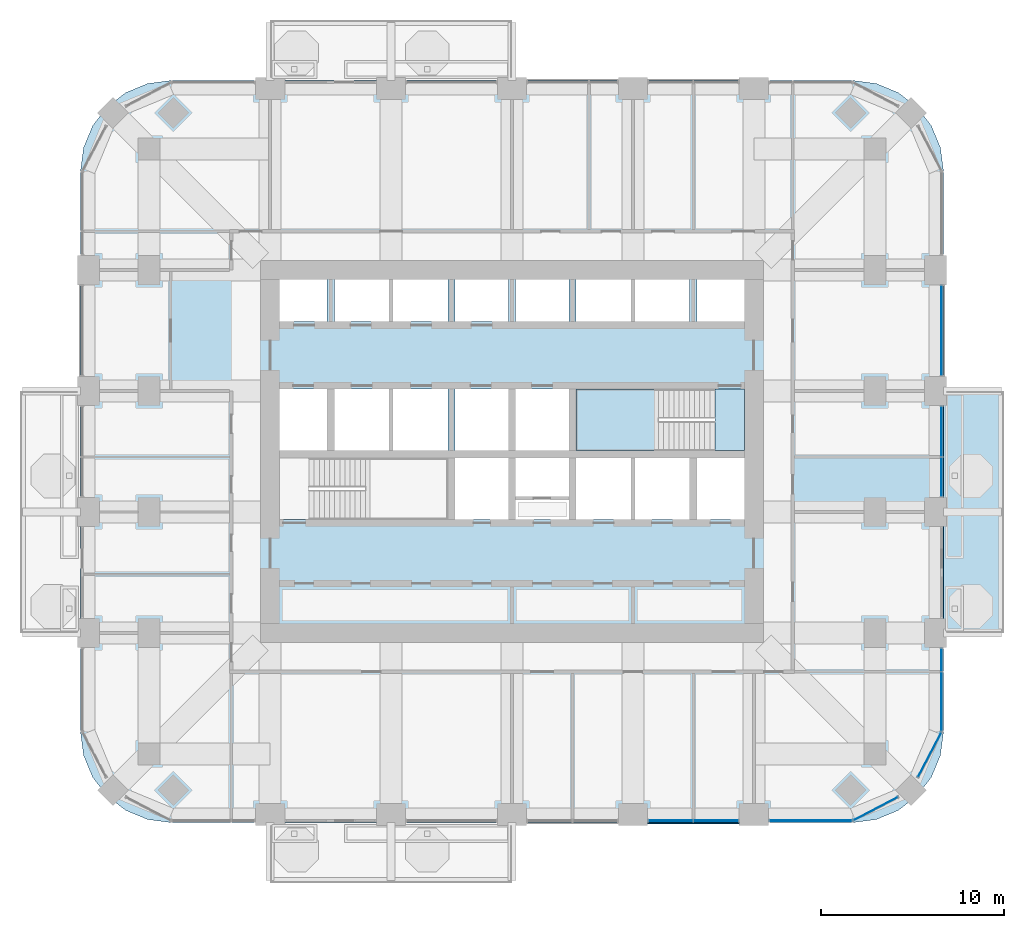
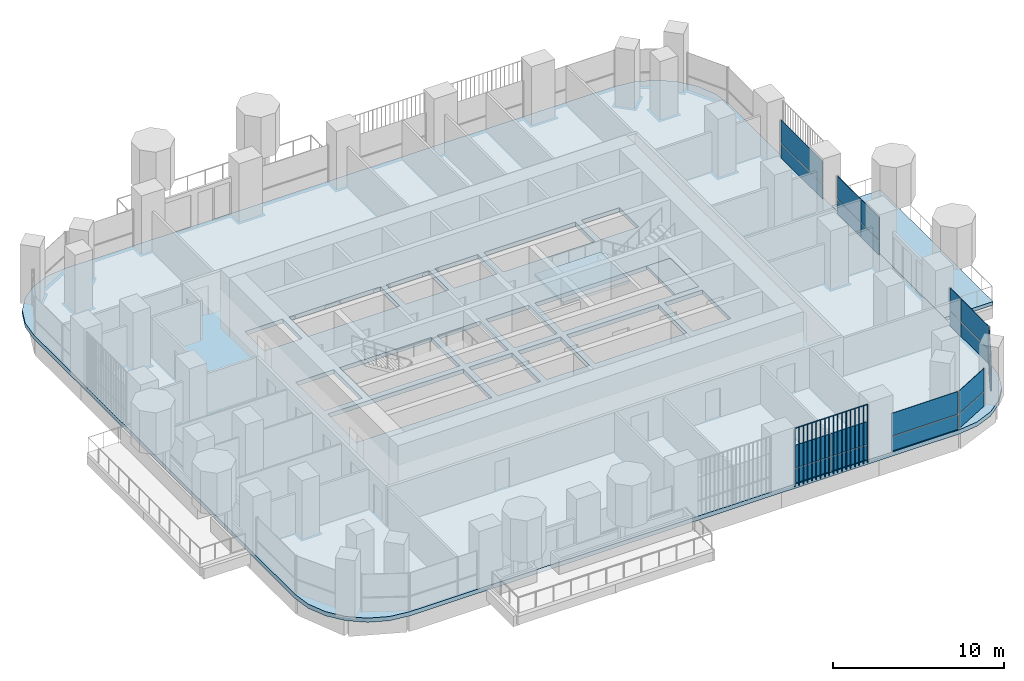
# One storey, part 9 of 20: 21 plates, 4 slabs, 8 elements without a shape of their own.
"""IFC4 building model written with IfcOpenShell, lengths in metres."""

from ifc_helpers import new_model, si_unit, direction, frame, origin, origin_2d, place, context, subcontext, project, spatial, polyline, rectangle, outline, extrude, material, layer, layer_set, type_object, element, aggregate, save


model = new_model("IFC4")

# Units and contexts
model_context = context("Model", 3, precision=1e-05, world=origin(), true_north=direction((0.0, 1.0)))
body_context = subcontext(model_context, "Body", "Model", "MODEL_VIEW")
ifc_project = project(units=[si_unit("LENGTHUNIT", "METRE"), si_unit("AREAUNIT", "SQUARE_METRE"), si_unit("VOLUMEUNIT", "CUBIC_METRE"), si_unit("PLANEANGLEUNIT", "RADIAN"), si_unit("MASSUNIT", "GRAM", prefix="KILO")], contexts=[model_context])

# Site, building, storey
site_placement = place(None, origin())
site = spatial("IfcSite", under=ifc_project, at=site_placement, CompositionType="ELEMENT")
building_placement = place(site_placement, origin())
building = spatial("IfcBuilding", under=site, at=building_placement, Name="Cobogo Forest Laboratory Tower", CompositionType="ELEMENT")
storey_placement = place(building_placement, frame((0.0, 0.0, 168.300048828125)))
storey = spatial("IfcBuildingStorey", under=building, at=storey_placement, Name="L38", CompositionType="ELEMENT", Elevation=168.300048828125)

# Slabs
ifc_material_1 = material(Name="Concrete HA-40 (C40/50)", Category="concrete")
ifc_layer_1 = layer(ifc_material_1, 0.25)
ifc_layer_set_1 = layer_set([ifc_layer_1], Name="Balcony slab 250")
slab_type_1 = type_object("IfcSlabType", Name="Balcony slab 250", PredefinedType="FLOOR", material=ifc_layer_set_1)
slab_1_placement = place(storey_placement, frame((0.0, 0.0, -0.25)))
element("IfcSlab", 1, at=slab_1_placement, inside=storey, type_object=slab_type_1, Name="Balcony BAL-E1 L38", PredefinedType="FLOOR", context=body_context, shape_type="SweptSolid", body=[
    extrude(outline(polyline([(49.949951171875, 13.199951171875), (53.25, 13.199951171875), (53.25, 26.39990234375), (49.949951171875, 26.39990234375), (49.949951171875, 13.199951171875)])), origin(), (0.0, 0.0, 1.0), 0.25),
])
ifc_layer_2 = layer(ifc_material_1, 0.300048828125)
ifc_layer_set_2 = layer_set([ifc_layer_2], Name="Floor slab 300")
slab_type_2 = type_object("IfcSlabType", Name="Floor slab 300", PredefinedType="FLOOR", material=ifc_layer_set_2)
slab_2_placement = place(storey_placement, frame((0.0, 0.0, -0.300048828125)))
element("IfcSlab", 2, at=slab_2_placement, inside=storey, type_object=slab_type_2, Name="L38 floor slab", PredefinedType="FLOOR", context=body_context, shape_type="SweptSolid", body=[
    extrude(outline(polyline([(45.0, 2.85009765625), (46.28125, 3.0185546875), (47.47509765625, 3.51318359375), (48.500244140625, 4.2998046875), (49.286865234375, 5.324951171875), (49.78125, 6.518798828125), (49.949951171875, 7.800048828125), (49.949951171875, 38.39990234375), (49.78125, 39.68115234375), (49.286865234375, 40.875), (48.500244140625, 41.900146484375), (47.47509765625, 42.686767578125), (46.28125, 43.181396484375), (45.0, 43.35009765625), (7.800048828125, 43.35009765625), (6.518798828125, 43.181396484375), (5.324951171875, 42.686767578125), (4.2998046875, 41.900146484375), (3.51318359375, 40.875), (3.0185546875, 39.68115234375), (2.85009765625, 38.39990234375), (2.85009765625, 7.800048828125), (3.0185546875, 6.518798828125), (3.51318359375, 5.324951171875), (4.2998046875, 4.2998046875), (5.324951171875, 3.51318359375), (6.518798828125, 3.0185546875), (7.800048828125, 2.85009765625), (45.0, 2.85009765625)]), holes=[polyline([(22.89990234375, 19.39990234375), (13.72509765625, 19.39990234375), (13.72509765625, 22.75), (22.89990234375, 22.75), (22.89990234375, 19.39990234375)]), polyline([(26.199951171875, 19.39990234375), (23.300048828125, 19.39990234375), (23.300048828125, 22.75), (26.199951171875, 22.75), (26.199951171875, 19.39990234375)]), polyline([(29.5, 19.39990234375), (26.60009765625, 19.39990234375), (26.60009765625, 22.75), (29.5, 22.75), (29.5, 19.39990234375)]), polyline([(36.10009765625, 22.75), (36.10009765625, 19.39990234375), (29.89990234375, 19.39990234375), (29.89990234375, 22.75), (36.10009765625, 22.75)]), polyline([(36.5, 19.39990234375), (36.5, 22.75), (39.074951171875, 22.75), (39.074951171875, 19.39990234375), (36.5, 19.39990234375)]), polyline([(16.300048828125, 23.14990234375), (13.72509765625, 23.14990234375), (13.72509765625, 26.5), (16.300048828125, 26.5), (16.300048828125, 23.14990234375)]), polyline([(22.89990234375, 26.5), (22.89990234375, 23.14990234375), (16.699951171875, 23.14990234375), (16.699951171875, 26.5), (22.89990234375, 26.5)]), polyline([(26.199951171875, 23.14990234375), (23.300048828125, 23.14990234375), (23.300048828125, 26.5), (26.199951171875, 26.5), (26.199951171875, 23.14990234375)]), polyline([(26.60009765625, 23.14990234375), (26.60009765625, 26.5), (29.5, 26.5), (29.5, 23.14990234375), (26.60009765625, 23.14990234375)]), polyline([(39.074951171875, 23.14990234375), (29.89990234375, 23.14990234375), (29.89990234375, 26.5), (39.074951171875, 26.5), (39.074951171875, 23.14990234375)]), polyline([(16.300048828125, 30.199951171875), (13.72509765625, 30.199951171875), (13.72509765625, 32.47509765625), (16.300048828125, 32.47509765625), (16.300048828125, 30.199951171875)]), polyline([(22.89990234375, 32.47509765625), (22.89990234375, 30.199951171875), (16.699951171875, 30.199951171875), (16.699951171875, 32.47509765625), (22.89990234375, 32.47509765625)]), polyline([(23.300048828125, 30.199951171875), (23.300048828125, 32.47509765625), (26.199951171875, 32.47509765625), (26.199951171875, 30.199951171875), (23.300048828125, 30.199951171875)]), polyline([(29.5, 30.199951171875), (26.60009765625, 30.199951171875), (26.60009765625, 32.47509765625), (29.5, 32.47509765625), (29.5, 30.199951171875)]), polyline([(36.10009765625, 32.47509765625), (36.10009765625, 30.199951171875), (29.89990234375, 30.199951171875), (29.89990234375, 32.47509765625), (36.10009765625, 32.47509765625)]), polyline([(36.5, 30.199951171875), (36.5, 32.47509765625), (39.074951171875, 32.47509765625), (39.074951171875, 30.199951171875), (36.5, 30.199951171875)])]), origin(), (0.0, 0.0, 1.0), 0.300048828125),
])

# Curtain wall, plates
ifc_material_2 = material(Name="Aluminium curtain wall", Category="aluminium")
curtain_wall_type = type_object("IfcCurtainWallType", Name="CW-2 unitised curtain wall, solar control glazing, laboratory floors zones C and D", PredefinedType="USERDEFINED", material=ifc_material_2)
curtain_wall_1_placement = place(storey_placement, origin())
curtain_wall_1 = element("IfcCurtainWall", 3, at=curtain_wall_1_placement, inside=storey, type_object=curtain_wall_type, Name="Curtain wall 05 L38", ObjectType="UNITISED CURTAIN WALL", PredefinedType="USERDEFINED")
ifc_material_3 = material(Name="Solar control insulated glass", Category="glass")
ifc_layer_3 = layer(ifc_material_3, 0.031982421875)
ifc_layer_set_3 = layer_set([ifc_layer_3], Name="GP-2 solar control glass unit 32")
plate_type_1 = type_object("IfcPlateType", Name="GP-2 solar control glass unit 32", PredefinedType="CURTAIN_PANEL", material=ifc_layer_set_3)
plate_1_placement = place(storey_placement, frame((35.06494140625, 2.949951171875, 0.0), z_axis=(0.0, 0.0, 1.0), x_axis=(1.0, 0.0, 0.0)))
plate_1 = element("IfcPlate", 4, at=plate_1_placement, type_object=plate_type_1, Name="CW-2 panel 1.1", PredefinedType="CURTAIN_PANEL", context=body_context, shape_type="SweptSolid", body=[
    extrude(rectangle(XDim=2.409912109375, YDim=0.031982421875, at=origin_2d()), origin(), (0.0, 0.0, 1.0), 1.02001953125),
])
plate_2_placement = place(storey_placement, frame((35.06494140625, 2.949951171875, 1.079833984375), z_axis=(0.0, 0.0, 1.0), x_axis=(1.0, 0.0, 0.0)))
plate_2 = element("IfcPlate", 5, at=plate_2_placement, type_object=plate_type_1, Name="CW-2 panel 1.2", PredefinedType="CURTAIN_PANEL", context=body_context, shape_type="SweptSolid", body=[
    extrude(rectangle(XDim=2.409912109375, YDim=0.031982421875, at=origin_2d()), origin(), (0.0, 0.0, 1.0), 1.6201171875),
])
plate_3_placement = place(storey_placement, frame((37.534912109375, 2.949951171875, 0.0), z_axis=(0.0, 0.0, 1.0), x_axis=(1.0, 0.0, 0.0)))
plate_3 = element("IfcPlate", 6, at=plate_3_placement, type_object=plate_type_1, Name="CW-2 panel 2.1", PredefinedType="CURTAIN_PANEL", context=body_context, shape_type="SweptSolid", body=[
    extrude(rectangle(XDim=2.409912109375, YDim=0.031982421875, at=origin_2d()), origin(), (0.0, 0.0, 1.0), 1.02001953125),
])
plate_4_placement = place(storey_placement, frame((37.534912109375, 2.949951171875, 1.079833984375), z_axis=(0.0, 0.0, 1.0), x_axis=(1.0, 0.0, 0.0)))
plate_4 = element("IfcPlate", 7, at=plate_4_placement, type_object=plate_type_1, Name="CW-2 panel 2.2", PredefinedType="CURTAIN_PANEL", context=body_context, shape_type="SweptSolid", body=[
    extrude(rectangle(XDim=2.409912109375, YDim=0.031982421875, at=origin_2d()), origin(), (0.0, 0.0, 1.0), 1.6201171875),
])
aggregate(curtain_wall_1, [plate_1, plate_2, plate_3, plate_4])

curtain_wall_2_placement = place(storey_placement, origin())
curtain_wall_2 = element("IfcCurtainWall", 8, at=curtain_wall_2_placement, inside=storey, type_object=curtain_wall_type, Name="Curtain wall 06 L38", ObjectType="UNITISED CURTAIN WALL", PredefinedType="USERDEFINED")
plate_5_placement = place(storey_placement, frame((42.699951171875, 2.949951171875, 0.0), z_axis=(0.0, 0.0, 1.0), x_axis=(1.0, 0.0, 0.0)))
plate_5 = element("IfcPlate", 9, at=plate_5_placement, type_object=plate_type_1, Name="CW-2 panel 1.1", PredefinedType="CURTAIN_PANEL", context=body_context, shape_type="SweptSolid", body=[
    extrude(rectangle(XDim=4.47998046875, YDim=0.031982421875, at=origin_2d()), origin(), (0.0, 0.0, 1.0), 1.02001953125),
])
plate_6_placement = place(storey_placement, frame((42.699951171875, 2.949951171875, 1.079833984375), z_axis=(0.0, 0.0, 1.0), x_axis=(1.0, 0.0, 0.0)))
plate_6 = element("IfcPlate", 10, at=plate_6_placement, type_object=plate_type_1, Name="CW-2 panel 1.2", PredefinedType="CURTAIN_PANEL", context=body_context, shape_type="SweptSolid", body=[
    extrude(rectangle(XDim=4.47998046875, YDim=0.031982421875, at=origin_2d()), origin(), (0.0, 0.0, 1.0), 1.6201171875),
])
aggregate(curtain_wall_2, [plate_5, plate_6])

curtain_wall_3_placement = place(storey_placement, origin())
curtain_wall_3 = element("IfcCurtainWall", 11, at=curtain_wall_3_placement, inside=storey, type_object=curtain_wall_type, Name="Curtain wall 07 L38", ObjectType="UNITISED CURTAIN WALL", PredefinedType="USERDEFINED")
plate_7_placement = place(storey_placement, frame((46.25244140625, 3.6064453125, 0.0), z_axis=(0.0, 0.0, 1.0), x_axis=(0.885686477022, 0.464283818822, 0.0)))
plate_7 = element("IfcPlate", 12, at=plate_7_placement, type_object=plate_type_1, Name="CW-2 panel 1.1", PredefinedType="CURTAIN_PANEL", context=body_context, shape_type="SweptSolid", body=[
    extrude(rectangle(XDim=2.7080078125, YDim=0.031982421875, at=origin_2d()), origin(), (0.0, 0.0, 1.0), 1.02001953125),
])
plate_8_placement = place(storey_placement, frame((46.25244140625, 3.6064453125, 1.079833984375), z_axis=(0.0, 0.0, 1.0), x_axis=(0.885686477022, 0.464283818822, 0.0)))
plate_8 = element("IfcPlate", 13, at=plate_8_placement, type_object=plate_type_1, Name="CW-2 panel 1.2", PredefinedType="CURTAIN_PANEL", context=body_context, shape_type="SweptSolid", body=[
    extrude(rectangle(XDim=2.7080078125, YDim=0.031982421875, at=origin_2d()), origin(), (0.0, 0.0, 1.0), 1.6201171875),
])
aggregate(curtain_wall_3, [plate_7, plate_8])

curtain_wall_4_placement = place(storey_placement, origin())
curtain_wall_4 = element("IfcCurtainWall", 14, at=curtain_wall_4_placement, inside=storey, type_object=curtain_wall_type, Name="Curtain wall 08 L38", ObjectType="UNITISED CURTAIN WALL", PredefinedType="USERDEFINED")
plate_9_placement = place(storey_placement, frame((49.193603515625, 6.547607421875, 0.0), z_axis=(0.0, 0.0, 1.0), x_axis=(0.464283818822, 0.885686477022, 0.0)))
plate_9 = element("IfcPlate", 15, at=plate_9_placement, type_object=plate_type_1, Name="CW-2 panel 1.1", PredefinedType="CURTAIN_PANEL", context=body_context, shape_type="SweptSolid", body=[
    extrude(rectangle(XDim=2.7080078125, YDim=0.031982421875, at=origin_2d()), origin(), (0.0, 0.0, 1.0), 1.02001953125),
])
plate_10_placement = place(storey_placement, frame((49.193603515625, 6.547607421875, 1.079833984375), z_axis=(0.0, 0.0, 1.0), x_axis=(0.464283818822, 0.885686477022, 0.0)))
plate_10 = element("IfcPlate", 16, at=plate_10_placement, type_object=plate_type_1, Name="CW-2 panel 1.2", PredefinedType="CURTAIN_PANEL", context=body_context, shape_type="SweptSolid", body=[
    extrude(rectangle(XDim=2.7080078125, YDim=0.031982421875, at=origin_2d()), origin(), (0.0, 0.0, 1.0), 1.6201171875),
])
aggregate(curtain_wall_4, [plate_9, plate_10])

curtain_wall_5_placement = place(storey_placement, origin())
curtain_wall_5 = element("IfcCurtainWall", 17, at=curtain_wall_5_placement, inside=storey, type_object=curtain_wall_type, Name="Curtain wall 09 L38", ObjectType="UNITISED CURTAIN WALL", PredefinedType="USERDEFINED")
plate_11_placement = place(storey_placement, frame((49.85009765625, 9.452392578125, 0.0), z_axis=(0.0, 0.0, 1.0), x_axis=(0.0, 1.0, 0.0)))
plate_11 = element("IfcPlate", 18, at=plate_11_placement, type_object=plate_type_1, Name="CW-2 panel 1.1", PredefinedType="CURTAIN_PANEL", context=body_context, shape_type="SweptSolid", body=[
    extrude(rectangle(XDim=3.18505859375, YDim=0.031982421875, at=origin_2d()), origin(), (0.0, 0.0, 1.0), 1.02001953125),
])
plate_12_placement = place(storey_placement, frame((49.85009765625, 9.452392578125, 1.079833984375), z_axis=(0.0, 0.0, 1.0), x_axis=(0.0, 1.0, 0.0)))
plate_12 = element("IfcPlate", 19, at=plate_12_placement, type_object=plate_type_1, Name="CW-2 panel 1.2", PredefinedType="CURTAIN_PANEL", context=body_context, shape_type="SweptSolid", body=[
    extrude(rectangle(XDim=3.18505859375, YDim=0.031982421875, at=origin_2d()), origin(), (0.0, 0.0, 1.0), 1.6201171875),
])
plate_13_placement = place(storey_placement, frame((49.85009765625, 11.722412109375, 0.0), z_axis=(0.0, 0.0, 1.0), x_axis=(0.0, 1.0, 0.0)))
plate_13 = element("IfcPlate", 20, at=plate_13_placement, type_object=plate_type_1, Name="CW-2 panel 2.1", PredefinedType="CURTAIN_PANEL", context=body_context, shape_type="SweptSolid", body=[
    extrude(rectangle(XDim=1.235107421875, YDim=0.031982421875, at=origin_2d()), origin(), (0.0, 0.0, 1.0), 1.02001953125),
])
plate_14_placement = place(storey_placement, frame((49.85009765625, 11.722412109375, 1.079833984375), z_axis=(0.0, 0.0, 1.0), x_axis=(0.0, 1.0, 0.0)))
plate_14 = element("IfcPlate", 21, at=plate_14_placement, type_object=plate_type_1, Name="CW-2 panel 2.2", PredefinedType="CURTAIN_PANEL", context=body_context, shape_type="SweptSolid", body=[
    extrude(rectangle(XDim=1.235107421875, YDim=0.031982421875, at=origin_2d()), origin(), (0.0, 0.0, 1.0), 1.6201171875),
])
aggregate(curtain_wall_5, [plate_11, plate_12, plate_13, plate_14])

curtain_wall_6_placement = place(storey_placement, origin())
curtain_wall_6 = element("IfcCurtainWall", 22, at=curtain_wall_6_placement, inside=storey, type_object=curtain_wall_type, Name="Curtain wall 11 L38", ObjectType="UNITISED CURTAIN WALL", PredefinedType="USERDEFINED")
plate_15_placement = place(storey_placement, frame((49.85009765625, 21.715087890625, 0.0), z_axis=(0.0, 0.0, 1.0), x_axis=(0.0, 1.0, 0.0)))
plate_15 = element("IfcPlate", 23, at=plate_15_placement, type_object=plate_type_1, Name="CW-2 panel 1.1", PredefinedType="CURTAIN_PANEL", context=body_context, shape_type="SweptSolid", body=[
    extrude(rectangle(XDim=2.110107421875, YDim=0.031982421875, at=origin_2d()), origin(), (0.0, 0.0, 1.0), 1.02001953125),
])
plate_16_placement = place(storey_placement, frame((49.85009765625, 21.715087890625, 1.079833984375), z_axis=(0.0, 0.0, 1.0), x_axis=(0.0, 1.0, 0.0)))
plate_16 = element("IfcPlate", 24, at=plate_16_placement, type_object=plate_type_1, Name="CW-2 panel 1.2", PredefinedType="CURTAIN_PANEL", context=body_context, shape_type="SweptSolid", body=[
    extrude(rectangle(XDim=2.110107421875, YDim=0.031982421875, at=origin_2d()), origin(), (0.0, 0.0, 1.0), 1.6201171875),
])
plate_17_placement = place(storey_placement, frame((49.85009765625, 24.18505859375, 0.0), z_axis=(0.0, 0.0, 1.0), x_axis=(0.0, 1.0, 0.0)))
plate_17 = element("IfcPlate", 25, at=plate_17_placement, type_object=plate_type_1, Name="CW-2 panel 2.1", PredefinedType="CURTAIN_PANEL", context=body_context, shape_type="SweptSolid", body=[
    extrude(rectangle(XDim=2.7099609375, YDim=0.031982421875, at=origin_2d()), origin(), (0.0, 0.0, 1.0), 1.02001953125),
])
plate_18_placement = place(storey_placement, frame((49.85009765625, 24.18505859375, 1.079833984375), z_axis=(0.0, 0.0, 1.0), x_axis=(0.0, 1.0, 0.0)))
plate_18 = element("IfcPlate", 26, at=plate_18_placement, type_object=plate_type_1, Name="CW-2 panel 2.2", PredefinedType="CURTAIN_PANEL", context=body_context, shape_type="SweptSolid", body=[
    extrude(rectangle(XDim=2.7099609375, YDim=0.031982421875, at=origin_2d()), origin(), (0.0, 0.0, 1.0), 1.6201171875),
])
aggregate(curtain_wall_6, [plate_15, plate_16, plate_17, plate_18])

curtain_wall_7_placement = place(storey_placement, origin())
curtain_wall_7 = element("IfcCurtainWall", 27, at=curtain_wall_7_placement, inside=storey, type_object=curtain_wall_type, Name="Curtain wall 12 L38", ObjectType="UNITISED CURTAIN WALL", PredefinedType="USERDEFINED")
plate_19_placement = place(storey_placement, frame((49.85009765625, 29.699951171875, 0.0), z_axis=(0.0, 0.0, 1.0), x_axis=(0.0, 1.0, 0.0)))
plate_19 = element("IfcPlate", 28, at=plate_19_placement, type_object=plate_type_1, Name="CW-2 panel 1.1", PredefinedType="CURTAIN_PANEL", context=body_context, shape_type="SweptSolid", body=[
    extrude(rectangle(XDim=4.8798828125, YDim=0.031982421875, at=origin_2d()), origin(), (0.0, 0.0, 1.0), 1.02001953125),
])
plate_20_placement = place(storey_placement, frame((49.85009765625, 29.699951171875, 1.079833984375), z_axis=(0.0, 0.0, 1.0), x_axis=(0.0, 1.0, 0.0)))
plate_20 = element("IfcPlate", 29, at=plate_20_placement, type_object=plate_type_1, Name="CW-2 panel 1.2", PredefinedType="CURTAIN_PANEL", context=body_context, shape_type="SweptSolid", body=[
    extrude(rectangle(XDim=4.8798828125, YDim=0.031982421875, at=origin_2d()), origin(), (0.0, 0.0, 1.0), 1.6201171875),
])
aggregate(curtain_wall_7, [plate_19, plate_20])

# Stair, slabs
ifc_material_4 = material(Name="Precast concrete HA-40 (C40/50)", Category="concrete")
stair_type = type_object("IfcStairType", Name="ST24 exit stair 24 risers", PredefinedType="HALF_TURN_STAIR", material=ifc_material_4)
stair_placement = place(storey_placement, origin())
stair = element("IfcStair", 30, at=stair_placement, inside=storey, type_object=stair_type, Name="Stair 2 L38 to L39", PredefinedType="HALF_TURN_STAIR")
ifc_layer_4 = layer(ifc_material_1, 0.199951171875)
ifc_layer_set_4 = layer_set([ifc_layer_4], Name="SL stair landing 200")
slab_type_3 = type_object("IfcSlabType", Name="SL stair landing 200", PredefinedType="LANDING", material=ifc_layer_set_4)
slab_3_placement = place(storey_placement, frame((0.0, 0.0, -0.199951171875)))
slab_3 = element("IfcSlab", 31, at=slab_3_placement, type_object=slab_type_3, Name="ST2 landing 1", PredefinedType="LANDING", context=body_context, shape_type="SweptSolid", body=[
    extrude(outline(polyline([(37.472900390625, 23.14990234375), (39.074951171875, 23.14990234375), (39.074951171875, 26.5), (37.472900390625, 26.5), (37.472900390625, 23.14990234375)])), origin(), (0.0, 0.0, 1.0), 0.199951171875),
])
slab_4_placement = place(storey_placement, frame((0.0, 0.0, 1.89990234375)))
slab_4 = element("IfcSlab", 32, at=slab_4_placement, type_object=slab_type_3, Name="ST2 landing 2", PredefinedType="LANDING", context=body_context, shape_type="SweptSolid", body=[
    extrude(outline(polyline([(29.89990234375, 23.14990234375), (34.39697265625, 23.14990234375), (34.39697265625, 26.5), (29.89990234375, 26.5), (29.89990234375, 23.14990234375)])), origin(), (0.0, 0.0, 1.0), 0.199951171875),
])
aggregate(stair, [slab_3, slab_4])

# Plate
ifc_material_5 = material(Name="Terracotta", Category="masonry")
plate_type_2 = type_object("IfcPlateType", Name="TB1 terracotta baguette screen", PredefinedType="USERDEFINED", material=ifc_material_5)
plate_21_placement = place(storey_placement, frame((33.831298828125, 2.822021484375, -0.150146484375)))
element("IfcPlate", 33, at=plate_21_placement, inside=storey, type_object=plate_type_2, Name="Baguette screen S4 L38", ObjectType="BAGUETTE SCREEN", PredefinedType="USERDEFINED", context=body_context, shape_type="SweptSolid", body=[
    extrude(outline(polyline([(0.02880859375, 0.011962890625), (0.011962890625, 0.02880859375), (-0.011962890625, 0.02880859375), (-0.02880859375, 0.011962890625), (-0.02880859375, -0.011962890625), (-0.011962890625, -0.02880859375), (0.011962890625, -0.02880859375), (0.02880859375, -0.011962890625), (0.02880859375, 0.011962890625)])), frame((0.0, 0.0, 4.168701171875), z_axis=(1.0, 0.0, 0.0), x_axis=(0.0, 1.0, 0.0)), (0.0, 0.0, 1.0), 4.9375),
    extrude(outline(polyline([(0.02880859375, 0.011962890625), (0.011962890625, 0.02880859375), (-0.011962890625, 0.02880859375), (-0.02880859375, 0.011962890625), (-0.02880859375, -0.011962890625), (-0.011962890625, -0.02880859375), (0.011962890625, -0.02880859375), (0.02880859375, -0.011962890625), (0.02880859375, 0.011962890625)])), origin(), (0.0, 0.0, 1.0), 4.137451171875),
    extrude(outline(polyline([(0.02880859375, 0.011962890625), (0.011962890625, 0.02880859375), (-0.011962890625, 0.02880859375), (-0.02880859375, 0.011962890625), (-0.02880859375, -0.011962890625), (-0.011962890625, -0.02880859375), (0.011962890625, -0.02880859375), (0.02880859375, -0.011962890625), (0.02880859375, 0.011962890625)])), frame((0.29052734375, 0.0, 0.0)), (0.0, 0.0, 1.0), 4.137451171875),
    extrude(outline(polyline([(0.02880859375, 0.011962890625), (0.011962890625, 0.02880859375), (-0.011962890625, 0.02880859375), (-0.02880859375, 0.011962890625), (-0.02880859375, -0.011962890625), (-0.011962890625, -0.02880859375), (0.011962890625, -0.02880859375), (0.02880859375, -0.011962890625), (0.02880859375, 0.011962890625)])), frame((0.580810546875, 0.0, 0.0)), (0.0, 0.0, 1.0), 4.137451171875),
    extrude(outline(polyline([(0.02880859375, 0.011962890625), (0.011962890625, 0.02880859375), (-0.011962890625, 0.02880859375), (-0.02880859375, 0.011962890625), (-0.02880859375, -0.011962890625), (-0.011962890625, -0.02880859375), (0.011962890625, -0.02880859375), (0.02880859375, -0.011962890625), (0.02880859375, 0.011962890625)])), frame((0.871337890625, 0.0, 0.0)), (0.0, 0.0, 1.0), 4.137451171875),
    extrude(outline(polyline([(0.02880859375, 0.011962890625), (0.011962890625, 0.02880859375), (-0.011962890625, 0.02880859375), (-0.02880859375, 0.011962890625), (-0.02880859375, -0.011962890625), (-0.011962890625, -0.02880859375), (0.011962890625, -0.02880859375), (0.02880859375, -0.011962890625), (0.02880859375, 0.011962890625)])), frame((1.161865234375, 0.0, 0.0)), (0.0, 0.0, 1.0), 4.137451171875),
    extrude(outline(polyline([(0.02880859375, 0.011962890625), (0.011962890625, 0.02880859375), (-0.011962890625, 0.02880859375), (-0.02880859375, 0.011962890625), (-0.02880859375, -0.011962890625), (-0.011962890625, -0.02880859375), (0.011962890625, -0.02880859375), (0.02880859375, -0.011962890625), (0.02880859375, 0.011962890625)])), frame((1.4521484375, 0.0, 0.0)), (0.0, 0.0, 1.0), 4.137451171875),
    extrude(outline(polyline([(0.02880859375, 0.011962890625), (0.011962890625, 0.02880859375), (-0.011962890625, 0.02880859375), (-0.02880859375, 0.011962890625), (-0.02880859375, -0.011962890625), (-0.011962890625, -0.02880859375), (0.011962890625, -0.02880859375), (0.02880859375, -0.011962890625), (0.02880859375, 0.011962890625)])), frame((1.74267578125, 0.0, 0.0)), (0.0, 0.0, 1.0), 4.137451171875),
    extrude(outline(polyline([(0.02880859375, 0.011962890625), (0.011962890625, 0.02880859375), (-0.011962890625, 0.02880859375), (-0.02880859375, 0.011962890625), (-0.02880859375, -0.011962890625), (-0.011962890625, -0.02880859375), (0.011962890625, -0.02880859375), (0.02880859375, -0.011962890625), (0.02880859375, 0.011962890625)])), frame((2.033203125, 0.0, 0.0)), (0.0, 0.0, 1.0), 4.137451171875),
    extrude(outline(polyline([(0.02880859375, 0.011962890625), (0.011962890625, 0.02880859375), (-0.011962890625, 0.02880859375), (-0.02880859375, 0.011962890625), (-0.02880859375, -0.011962890625), (-0.011962890625, -0.02880859375), (0.011962890625, -0.02880859375), (0.02880859375, -0.011962890625), (0.02880859375, 0.011962890625)])), frame((2.323486328125, 0.0, 0.0)), (0.0, 0.0, 1.0), 4.137451171875),
    extrude(outline(polyline([(0.02880859375, 0.011962890625), (0.011962890625, 0.02880859375), (-0.011962890625, 0.02880859375), (-0.02880859375, 0.011962890625), (-0.02880859375, -0.011962890625), (-0.011962890625, -0.02880859375), (0.011962890625, -0.02880859375), (0.02880859375, -0.011962890625), (0.02880859375, 0.011962890625)])), frame((2.614013671875, 0.0, 0.0)), (0.0, 0.0, 1.0), 4.137451171875),
    extrude(outline(polyline([(0.02880859375, 0.011962890625), (0.011962890625, 0.02880859375), (-0.011962890625, 0.02880859375), (-0.02880859375, 0.011962890625), (-0.02880859375, -0.011962890625), (-0.011962890625, -0.02880859375), (0.011962890625, -0.02880859375), (0.02880859375, -0.011962890625), (0.02880859375, 0.011962890625)])), frame((2.904296875, 0.0, 0.0)), (0.0, 0.0, 1.0), 4.137451171875),
    extrude(outline(polyline([(0.02880859375, 0.011962890625), (0.011962890625, 0.02880859375), (-0.011962890625, 0.02880859375), (-0.02880859375, 0.011962890625), (-0.02880859375, -0.011962890625), (-0.011962890625, -0.02880859375), (0.011962890625, -0.02880859375), (0.02880859375, -0.011962890625), (0.02880859375, 0.011962890625)])), frame((3.19482421875, 0.0, 0.0)), (0.0, 0.0, 1.0), 4.137451171875),
    extrude(outline(polyline([(0.02880859375, 0.011962890625), (0.011962890625, 0.02880859375), (-0.011962890625, 0.02880859375), (-0.02880859375, 0.011962890625), (-0.02880859375, -0.011962890625), (-0.011962890625, -0.02880859375), (0.011962890625, -0.02880859375), (0.02880859375, -0.011962890625), (0.02880859375, 0.011962890625)])), frame((3.4853515625, 0.0, 0.0)), (0.0, 0.0, 1.0), 4.137451171875),
    extrude(outline(polyline([(0.02880859375, 0.011962890625), (0.011962890625, 0.02880859375), (-0.011962890625, 0.02880859375), (-0.02880859375, 0.011962890625), (-0.02880859375, -0.011962890625), (-0.011962890625, -0.02880859375), (0.011962890625, -0.02880859375), (0.02880859375, -0.011962890625), (0.02880859375, 0.011962890625)])), frame((3.775634765625, 0.0, 0.0)), (0.0, 0.0, 1.0), 4.137451171875),
    extrude(outline(polyline([(0.02880859375, 0.011962890625), (0.011962890625, 0.02880859375), (-0.011962890625, 0.02880859375), (-0.02880859375, 0.011962890625), (-0.02880859375, -0.011962890625), (-0.011962890625, -0.02880859375), (0.011962890625, -0.02880859375), (0.02880859375, -0.011962890625), (0.02880859375, 0.011962890625)])), frame((4.066162109375, 0.0, 0.0)), (0.0, 0.0, 1.0), 4.137451171875),
    extrude(outline(polyline([(0.02880859375, 0.011962890625), (0.011962890625, 0.02880859375), (-0.011962890625, 0.02880859375), (-0.02880859375, 0.011962890625), (-0.02880859375, -0.011962890625), (-0.011962890625, -0.02880859375), (0.011962890625, -0.02880859375), (0.02880859375, -0.011962890625), (0.02880859375, 0.011962890625)])), frame((4.356689453125, 0.0, 0.0)), (0.0, 0.0, 1.0), 4.137451171875),
    extrude(outline(polyline([(0.02880859375, 0.011962890625), (0.011962890625, 0.02880859375), (-0.011962890625, 0.02880859375), (-0.02880859375, 0.011962890625), (-0.02880859375, -0.011962890625), (-0.011962890625, -0.02880859375), (0.011962890625, -0.02880859375), (0.02880859375, -0.011962890625), (0.02880859375, 0.011962890625)])), frame((4.64697265625, 0.0, 0.0)), (0.0, 0.0, 1.0), 4.137451171875),
    extrude(outline(polyline([(0.02880859375, 0.011962890625), (0.011962890625, 0.02880859375), (-0.011962890625, 0.02880859375), (-0.02880859375, 0.011962890625), (-0.02880859375, -0.011962890625), (-0.011962890625, -0.02880859375), (0.011962890625, -0.02880859375), (0.02880859375, -0.011962890625), (0.02880859375, 0.011962890625)])), frame((4.9375, 0.0, 0.0)), (0.0, 0.0, 1.0), 4.137451171875),
])

save(model, "model.ifc")
